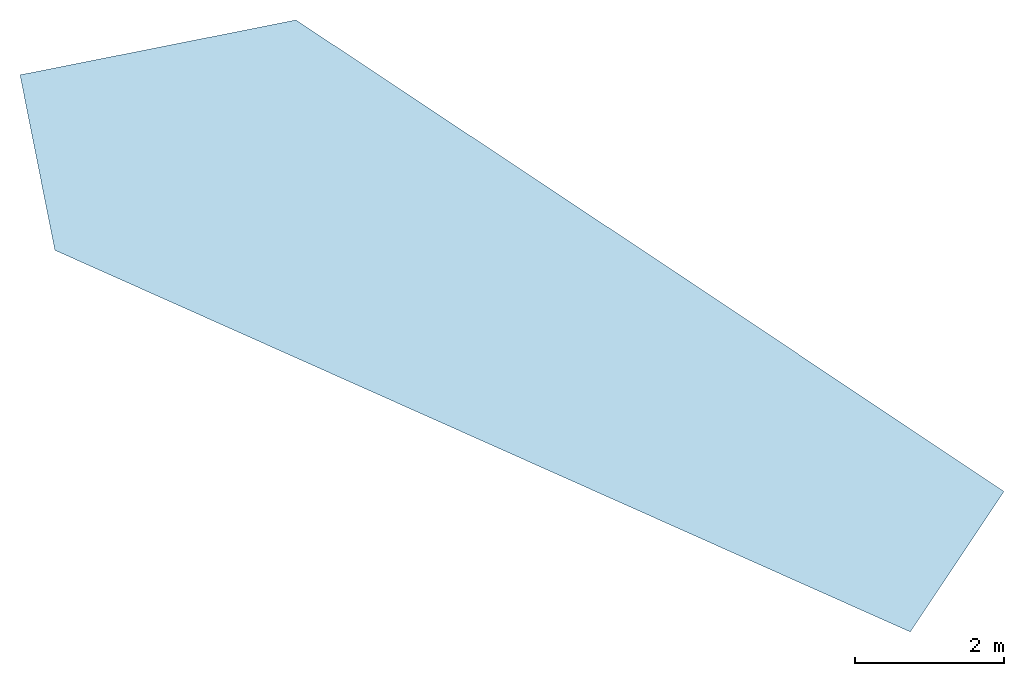
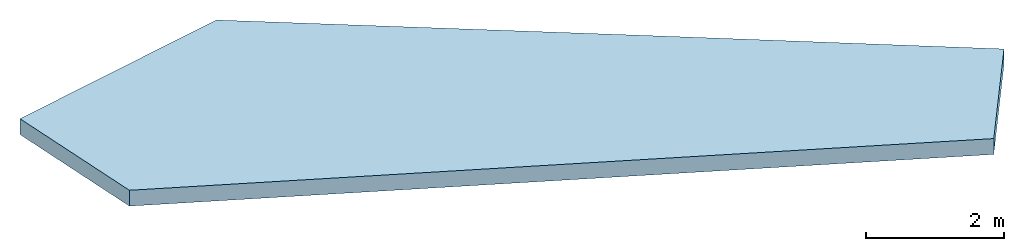
# One storey: 1 slab.
"""IFC4 building model written with IfcOpenShell, lengths in metres."""

from ifc_helpers import new_model, si_unit, direction, frame, origin, place, context, subcontext, project, spatial, polyline, outline, extrude, material, layer, layer_set, type_object, element, save


model = new_model("IFC4")

# Units and contexts
model_context = context("Model", 3, precision=1e-05, world=origin(), true_north=direction((0.0, 1.0)))
body_context = subcontext(model_context, "Body", "Model", "MODEL_VIEW")
ifc_project = project(units=[si_unit("LENGTHUNIT", "METRE"), si_unit("AREAUNIT", "SQUARE_METRE"), si_unit("VOLUMEUNIT", "CUBIC_METRE"), si_unit("PLANEANGLEUNIT", "RADIAN"), si_unit("MASSUNIT", "GRAM", prefix="KILO")], contexts=[model_context])

# Site, building, storey
site_placement = place(None, origin())
site = spatial("IfcSite", under=ifc_project, at=site_placement, CompositionType="ELEMENT")
building_placement = place(site_placement, origin())
building = spatial("IfcBuilding", under=site, at=building_placement, Name="Ceibo Conservatory and Research Tower", CompositionType="ELEMENT")
storey_placement = place(building_placement, frame((0.0, 0.0, 29.419921875)))
storey = spatial("IfcBuildingStorey", under=building, at=storey_placement, Name="UPPER ROOF", CompositionType="ELEMENT", Elevation=29.419921875)

# Slab
ifc_material = material(Name="Concrete C35/45", Category="concrete")
ifc_layer = layer(ifc_material, 0.280029296875)
ifc_layer_set = layer_set([ifc_layer], Name="Concrete C35/45")
slab_type = type_object("IfcSlabType", Name="RC overrun roof slab 280", PredefinedType="ROOF", material=ifc_layer_set)
slab_placement = place(storey_placement, origin())
element("IfcSlab", 1, at=slab_placement, inside=storey, type_object=slab_type, Name="Lift overrun roof slab", PredefinedType="ROOF", context=body_context, shape_type="SweptSolid", body=[
    extrude(outline(polyline([(53.445556640625, 112.490234375), (54.705810546875, 114.376708984375), (50.382080078125, 117.265869140625), (45.18896484375, 120.71533203125), (41.479248046875, 119.9775390625), (41.947998046875, 117.6201171875), (53.445556640625, 112.490234375)])), origin(), (0.0, 0.0, 1.0), 0.280029296875),
])

save(model, "model.ifc")
